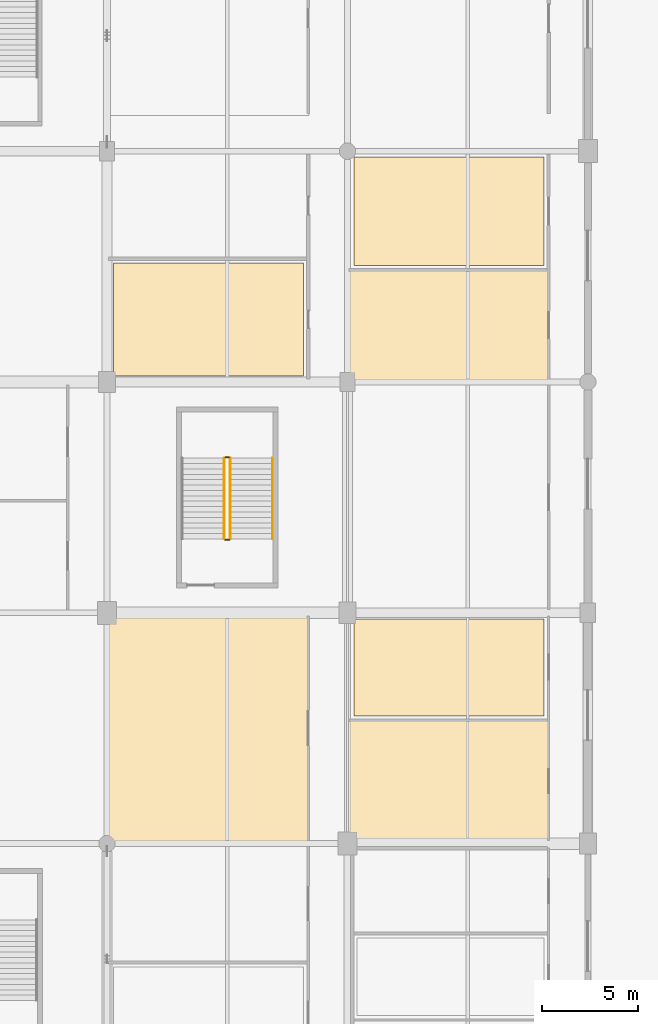
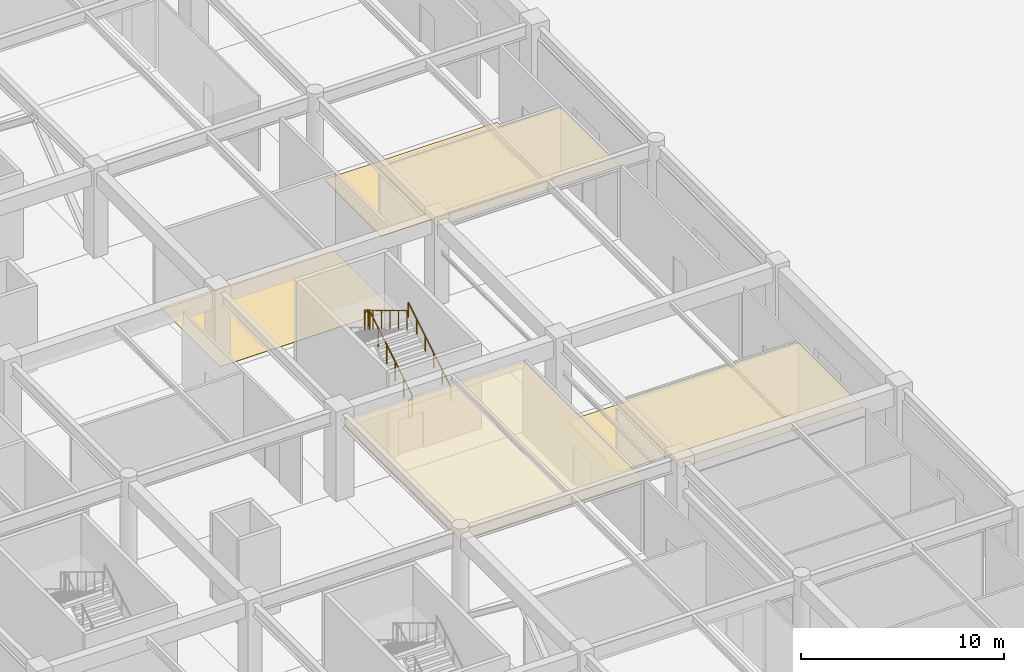
# One storey, part 47 of 69: 6 coverings, 5 railings.
"""IFC4 building model written with IfcOpenShell, lengths in metres."""

from ifc_helpers import new_model, si_unit, direction, frame, origin, origin_2d, place, context, subcontext, project, spatial, polyline, circle, outline, extrude, material, layer, layer_set, type_object, element, save


model = new_model("IFC4")

# Units and contexts
model_context = context("Model", 3, precision=1e-05, world=origin(), true_north=direction((0.0, 1.0)))
body_context = subcontext(model_context, "Body", "Model", "MODEL_VIEW")
ifc_project = project(units=[si_unit("LENGTHUNIT", "METRE"), si_unit("AREAUNIT", "SQUARE_METRE"), si_unit("VOLUMEUNIT", "CUBIC_METRE"), si_unit("PLANEANGLEUNIT", "RADIAN"), si_unit("MASSUNIT", "GRAM", prefix="KILO")], contexts=[model_context])

# Site, building, storey
site_placement = place(None, origin())
site = spatial("IfcSite", under=ifc_project, at=site_placement, CompositionType="ELEMENT")
building_placement = place(site_placement, origin())
building = spatial("IfcBuilding", under=site, at=building_placement, Name="Kazenohara Klinker Stadium", CompositionType="ELEMENT")
storey_placement = place(building_placement, origin())
storey = spatial("IfcBuildingStorey", under=building, at=storey_placement, Name="L00", CompositionType="ELEMENT", Elevation=0.0)

# Coverings
ifc_material_1 = material(Name="Perforated acoustic mineral-fibre ceiling tile", Category="gypsum")
ifc_layer_1 = layer(ifc_material_1, 0.030029296875)
ifc_layer_set_1 = layer_set([ifc_layer_1], Name="Perforated acoustic mineral-fibre ceiling tile")
covering_type_1 = type_object("IfcCoveringType", Name="COV-CEIL-01", PredefinedType="CEILING", material=ifc_layer_set_1)
covering_1_placement = place(storey_placement, frame((0.0, 0.0, 4.35009765625)))
element("IfcCovering", 1, at=covering_1_placement, inside=storey, type_object=covering_type_1, Name="Suspended acoustic ceiling CL01 Civic Stadium Heritage Museum Exhibition Gallery L00-0305A", PredefinedType="CEILING", context=body_context, shape_type="SweptSolid", body=[
    extrude(outline(polyline([(36.56005859375, 60.0400390625), (46.989990234375, 60.0400390625), (46.989990234375, 66.44873046875), (36.56005859375, 66.44873046875), (36.56005859375, 60.0400390625)])), origin(), (0.0, 0.0, 1.0), 0.02978515625),
])
ifc_material_2 = material(Name="Slatted Hokkaido cedar acoustic baffle ceiling", Category="wood")
ifc_layer_2 = layer(ifc_material_2, 0.0400390625)
ifc_layer_set_2 = layer_set([ifc_layer_2], Name="Slatted Hokkaido cedar acoustic baffle ceiling")
covering_type_2 = type_object("IfcCoveringType", Name="COV-CEIL-02", PredefinedType="CEILING", material=ifc_layer_set_2)
covering_2_placement = place(storey_placement, frame((0.0, 0.0, 4.340087890625)))
element("IfcCovering", 2, at=covering_2_placement, inside=storey, type_object=covering_type_2, Name="Suspended acoustic ceiling CL02 Civic Stadium Heritage Museum Exhibition Gallery L00-0205A", PredefinedType="CEILING", context=body_context, shape_type="SweptSolid", body=[
    extrude(outline(polyline([(24.06005859375, 60.0400390625), (34.489990234375, 60.0400390625), (34.489990234375, 71.9599609375), (24.06005859375, 71.9599609375), (24.06005859375, 60.0400390625)])), origin(), (0.0, 0.0, 1.0), 0.039794921875),
])
covering_3_placement = place(storey_placement, frame((0.0, 0.0, 4.340087890625)))
element("IfcCovering", 3, at=covering_3_placement, inside=storey, type_object=covering_type_2, Name="Suspended acoustic ceiling CL02 Spectator First-Aid Medical Clinic L00-0307A", PredefinedType="CEILING", context=body_context, shape_type="SweptSolid", body=[
    extrude(outline(polyline([(36.56005859375, 84.0400390625), (46.989990234375, 84.0400390625), (46.989990234375, 89.86474609375), (36.56005859375, 89.86474609375), (36.56005859375, 84.0400390625)])), origin(), (0.0, 0.0, 1.0), 0.039794921875),
])
ifc_material_3 = material(Name="Slip-resistant honed basalt terrazzo flooring", Category="masonry")
ifc_layer_3 = layer(ifc_material_3, 0.02001953125)
ifc_layer_set_3 = layer_set([ifc_layer_3], Name="Slip-resistant honed basalt terrazzo flooring")
covering_type_3 = type_object("IfcCoveringType", Name="COV-FLR-01", PredefinedType="FLOORING", material=ifc_layer_set_3)
covering_4_placement = place(storey_placement, origin())
element("IfcCovering", 4, at=covering_4_placement, inside=storey, type_object=covering_type_3, Name="Interior floor finish FL01 Supporter Merchandising Retail Shop L00-0207A", PredefinedType="FLOORING", context=body_context, shape_type="SweptSolid", body=[
    extrude(outline(polyline([(24.330078125, 84.31005859375), (34.219970703125, 84.31005859375), (34.219970703125, 90.1787109375), (24.330078125, 90.1787109375), (24.330078125, 84.31005859375)])), origin(), (0.0, 0.0, 1.0), 0.02001953125),
])
covering_5_placement = place(storey_placement, origin())
element("IfcCovering", 5, at=covering_5_placement, inside=storey, type_object=covering_type_3, Name="Interior floor finish FL01 Winter-Garden Retail Galleria Boutique L00-0307B", PredefinedType="FLOORING", context=body_context, shape_type="SweptSolid", body=[
    extrude(outline(polyline([(36.830078125, 90.0546875), (46.719970703125, 90.0546875), (46.719970703125, 95.68994140625), (36.830078125, 95.68994140625), (36.830078125, 90.0546875)])), origin(), (0.0, 0.0, 1.0), 0.02001953125),
])
ifc_material_4 = material(Name="Cushioned EPDM sports rubber flooring", Category="rubber")
ifc_layer_4 = layer(ifc_material_4, 0.014892578125)
ifc_layer_set_4 = layer_set([ifc_layer_4], Name="Cushioned EPDM sports rubber flooring")
covering_type_4 = type_object("IfcCoveringType", Name="COV-FLR-02", PredefinedType="FLOORING", material=ifc_layer_set_4)
covering_6_placement = place(storey_placement, origin())
element("IfcCovering", 6, at=covering_6_placement, inside=storey, type_object=covering_type_4, Name="Interior floor finish FL02 Street-Front Bakery and Cafe Restaurant L00-0305B", PredefinedType="FLOORING", context=body_context, shape_type="SweptSolid", body=[
    extrude(outline(polyline([(36.830078125, 66.638916015625), (46.719970703125, 66.638916015625), (46.719970703125, 71.68994140625), (36.830078125, 71.68994140625), (36.830078125, 66.638916015625)])), origin(), (0.0, 0.0, 1.0), 0.014892578125),
])

# Railings
ifc_material_5 = material(Name="Brushed stainless steel 304 handrail", Category="steel")
ifc_layer_5 = layer(ifc_material_5, 0.050048828125)
ifc_layer_set_5 = layer_set([ifc_layer_5], Name="Brushed stainless steel 304 handrail")
railing_type_1 = type_object("IfcRailingType", Name="RL-HND-900", PredefinedType="HANDRAIL", material=ifc_layer_set_5)
railing_1_placement = place(storey_placement, frame((32.60009765625, 75.840087890625, 0.168701171875)))
element("IfcRailing", 7, at=railing_1_placement, inside=storey, type_object=railing_type_1, Name="L00 ST17 stair handrail 1", PredefinedType="HANDRAIL", context=body_context, shape_type="SweptSolid", body=[
    extrude(circle(Radius=0.02392578125, at=origin_2d()), frame((0.0, 0.0, 0.8759765625), z_axis=(0.0, 0.856476492594, 0.516186030065), x_axis=(-1.0, 0.0, 0.0)), (0.0, 0.0, 1.0), 4.90380859375),
    extrude(circle(Radius=0.02099609375, at=origin_2d()), origin(), (0.0, 0.0, 1.0), 0.851806640625),
    extrude(circle(Radius=0.02099609375, at=origin_2d()), frame((0.0, 0.840087890625, 0.50634765625)), (0.0, 0.0, 1.0), 0.851806640625),
    extrude(circle(Radius=0.02099609375, at=origin_2d()), frame((0.0, 1.679931640625, 1.012451171875)), (0.0, 0.0, 1.0), 0.851806640625),
    extrude(circle(Radius=0.02099609375, at=origin_2d()), frame((0.0, 2.52001953125, 1.518798828125)), (0.0, 0.0, 1.0), 0.851806640625),
    extrude(circle(Radius=0.02099609375, at=origin_2d()), frame((0.0, 3.35986328125, 2.02490234375)), (0.0, 0.0, 1.0), 0.851806640625),
    extrude(circle(Radius=0.02099609375, at=origin_2d()), frame((0.0, 4.199951171875, 2.53125)), (0.0, 0.0, 1.0), 0.851806640625),
])
ifc_material_6 = material(Name="Painted steel stairwell guardrail", Category="steel")
ifc_layer_6 = layer(ifc_material_6, 0.06005859375)
ifc_layer_set_6 = layer_set([ifc_layer_6], Name="Painted steel stairwell guardrail")
railing_type_2 = type_object("IfcRailingType", Name="RL-STG-1120", PredefinedType="GUARDRAIL", material=ifc_layer_set_6)
railing_2_placement = place(storey_placement, frame((30.39990234375, 75.840087890625, 0.168701171875)))
element("IfcRailing", 8, at=railing_2_placement, inside=storey, type_object=railing_type_2, Name="L00 ST17 stair guard 1", PredefinedType="GUARDRAIL", context=body_context, shape_type="SweptSolid", body=[
    extrude(circle(Radius=0.02392578125, at=origin_2d()), frame((0.0, 0.0, 1.1259765625), z_axis=(0.0, 0.856476492594, 0.516186030065), x_axis=(-1.0, 0.0, 0.0)), (0.0, 0.0, 1.0), 4.90380859375),
    extrude(circle(Radius=0.02099609375, at=origin_2d()), origin(), (0.0, 0.0, 1.0), 1.101806640625),
    extrude(circle(Radius=0.02099609375, at=origin_2d()), frame((0.0, 0.840087890625, 0.50634765625)), (0.0, 0.0, 1.0), 1.101806640625),
    extrude(circle(Radius=0.02099609375, at=origin_2d()), frame((0.0, 1.679931640625, 1.012451171875)), (0.0, 0.0, 1.0), 1.101806640625),
    extrude(circle(Radius=0.02099609375, at=origin_2d()), frame((0.0, 2.52001953125, 1.518798828125)), (0.0, 0.0, 1.0), 1.101806640625),
    extrude(circle(Radius=0.02099609375, at=origin_2d()), frame((0.0, 3.35986328125, 2.02490234375)), (0.0, 0.0, 1.0), 1.101806640625),
    extrude(circle(Radius=0.02099609375, at=origin_2d()), frame((0.0, 4.199951171875, 2.53125)), (0.0, 0.0, 1.0), 1.101806640625),
])
railing_3_placement = place(storey_placement, frame((30.35009765625, 80.090087890625, 2.699951171875)))
element("IfcRailing", 9, at=railing_3_placement, inside=storey, type_object=railing_type_2, Name="L00 ST17 stair guard 2", PredefinedType="GUARDRAIL", context=body_context, shape_type="SweptSolid", body=[
    extrude(circle(Radius=0.02392578125, at=origin_2d()), frame((0.0, 0.0, 1.1259765625), z_axis=(-1.0, 0.0, 0.0), x_axis=(0.0, -1.0, 0.0)), (0.0, 0.0, 1.0), 0.2001953125),
    extrude(circle(Radius=0.02099609375, at=origin_2d()), origin(), (0.0, 0.0, 1.0), 1.101806640625),
    extrude(circle(Radius=0.02099609375, at=origin_2d()), frame((-0.2001953125, 0.0, 0.0)), (0.0, 0.0, 1.0), 1.101806640625),
])
railing_4_placement = place(storey_placement, frame((30.10009765625, 80.0400390625, 2.86865234375)))
element("IfcRailing", 10, at=railing_4_placement, inside=storey, type_object=railing_type_2, Name="L00 ST17 stair guard 3", PredefinedType="GUARDRAIL", context=body_context, shape_type="SweptSolid", body=[
    extrude(circle(Radius=0.02392578125, at=origin_2d()), frame((0.0, 0.0, 1.1259765625), z_axis=(0.0, -0.856476492594, 0.516186030065), x_axis=(1.0, 0.0, 0.0)), (0.0, 0.0, 1.0), 4.90380859375),
    extrude(circle(Radius=0.02099609375, at=origin_2d()), origin(), (0.0, 0.0, 1.0), 1.101806640625),
    extrude(circle(Radius=0.02099609375, at=origin_2d()), frame((0.0, -0.840087890625, 0.50634765625)), (0.0, 0.0, 1.0), 1.101806640625),
    extrude(circle(Radius=0.02099609375, at=origin_2d()), frame((0.0, -1.679931640625, 1.012451171875)), (0.0, 0.0, 1.0), 1.101806640625),
    extrude(circle(Radius=0.02099609375, at=origin_2d()), frame((0.0, -2.52001953125, 1.518798828125)), (0.0, 0.0, 1.0), 1.101806640625),
    extrude(circle(Radius=0.02099609375, at=origin_2d()), frame((0.0, -3.35986328125, 2.02490234375)), (0.0, 0.0, 1.0), 1.101806640625),
    extrude(circle(Radius=0.02099609375, at=origin_2d()), frame((0.0, -4.199951171875, 2.53125)), (0.0, 0.0, 1.0), 1.101806640625),
])
railing_5_placement = place(storey_placement, frame((30.35009765625, 75.7900390625, 0.0)))
element("IfcRailing", 11, at=railing_5_placement, inside=storey, type_object=railing_type_2, Name="L00 ST17 stair guard 4", PredefinedType="GUARDRAIL", context=body_context, shape_type="SweptSolid", body=[
    extrude(circle(Radius=0.02392578125, at=origin_2d()), frame((0.0, 0.0, 1.1259765625), z_axis=(-1.0, 0.0, 0.0), x_axis=(0.0, -1.0, 0.0)), (0.0, 0.0, 1.0), 0.2001953125),
    extrude(circle(Radius=0.02099609375, at=origin_2d()), origin(), (0.0, 0.0, 1.0), 1.101806640625),
    extrude(circle(Radius=0.02099609375, at=origin_2d()), frame((-0.2001953125, 0.0, 0.0)), (0.0, 0.0, 1.0), 1.101806640625),
])

save(model, "model.ifc")
